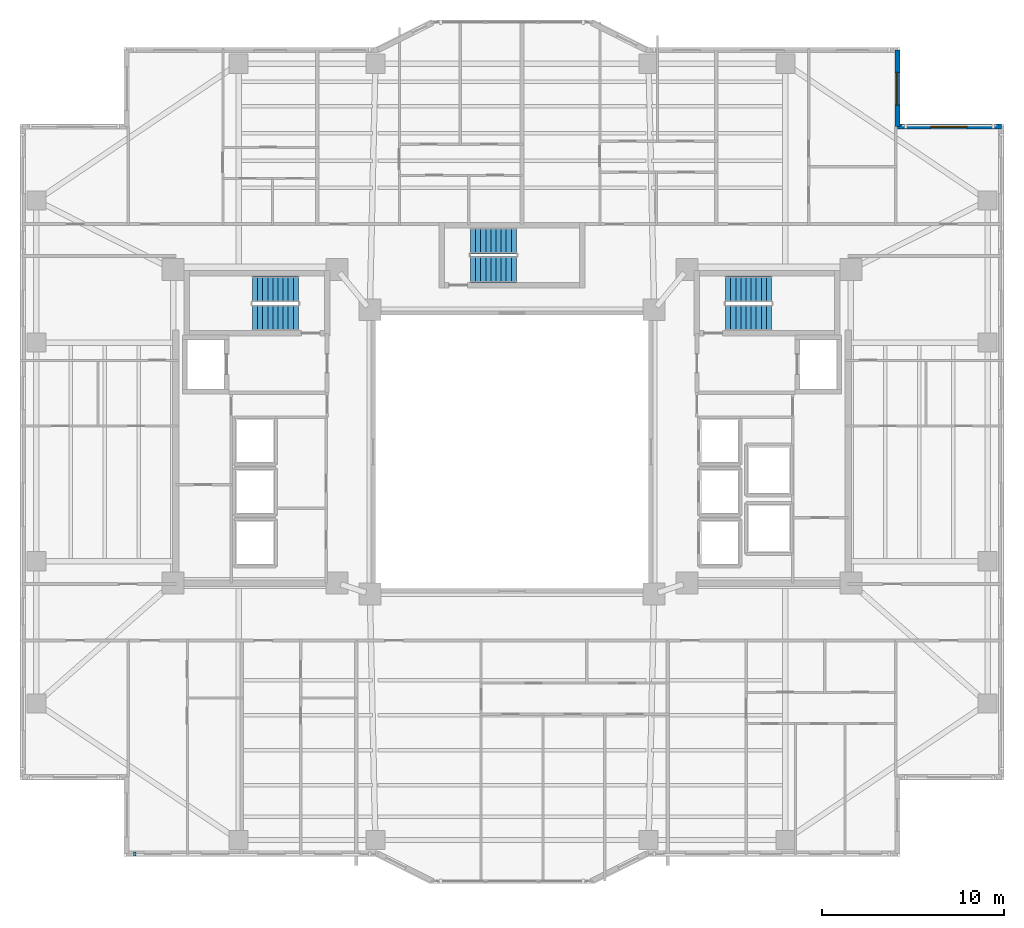
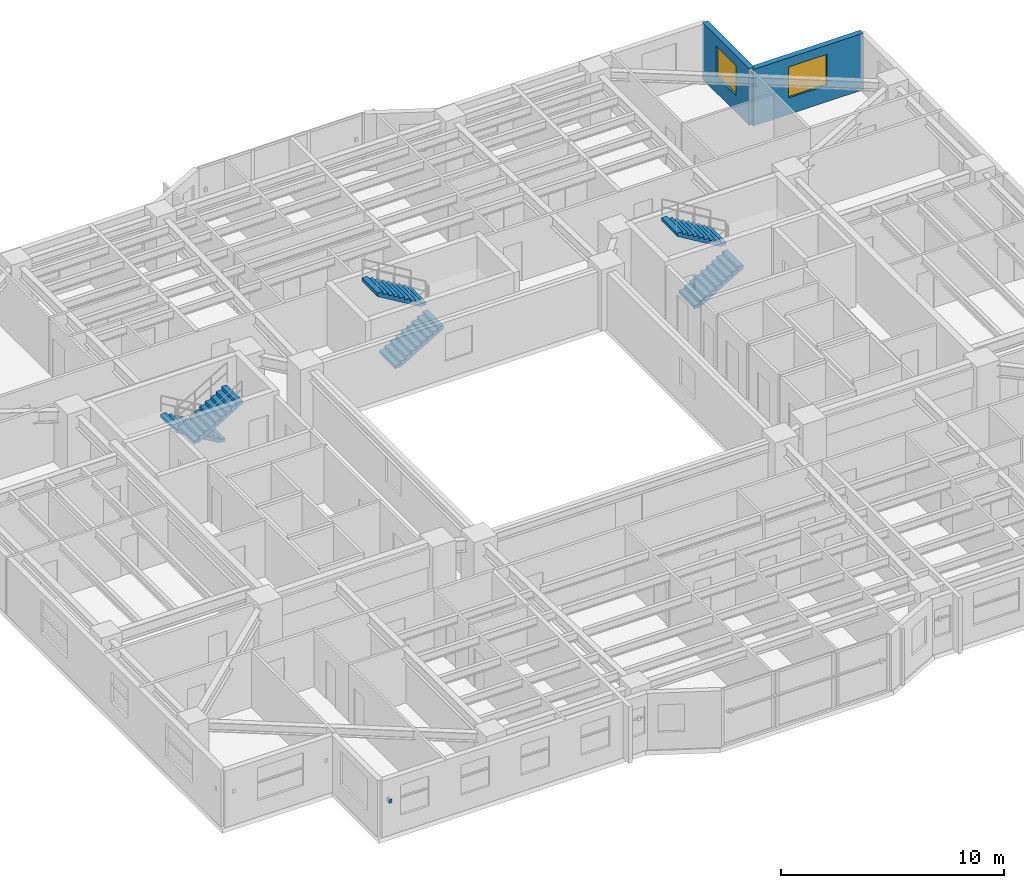
# One storey, part 12 of 19: 6 stair flights, 2 walls, 2 windows, 1 discrete accessory, 2 openings, 3 elements without a shape of their own.
"""IFC4 building model written with IfcOpenShell, lengths in metres."""

from ifc_helpers import new_model, si_unit, direction, frame, frame_2d, origin, origin_2d, place, context, subcontext, project, spatial, polyline, rectangle, outline, extrude, material, layer, layer_set, type_object, element, fill, aggregate, save


model = new_model("IFC4")

# Units and contexts
model_context = context("Model", 3, precision=1e-05, world=origin(), true_north=direction((0.0, 1.0)))
body_context = subcontext(model_context, "Body", "Model", "MODEL_VIEW")
ifc_project = project(units=[si_unit("LENGTHUNIT", "METRE"), si_unit("AREAUNIT", "SQUARE_METRE"), si_unit("VOLUMEUNIT", "CUBIC_METRE"), si_unit("PLANEANGLEUNIT", "RADIAN"), si_unit("MASSUNIT", "GRAM", prefix="KILO")], contexts=[model_context])

# Site, building, storey
site_placement = place(None, origin())
site = spatial("IfcSite", under=ifc_project, at=site_placement, CompositionType="ELEMENT")
building_placement = place(site_placement, origin())
building = spatial("IfcBuilding", under=site, at=building_placement, Name="Tarnavaz Court Tower", CompositionType="ELEMENT")
storey_placement = place(building_placement, frame((0.0, 0.0, 81.64990234375)))
storey = spatial("IfcBuildingStorey", under=building, at=storey_placement, Name="L21", CompositionType="ELEMENT", Elevation=81.64990234375)

# Wall, opening, window
ifc_material_1 = material(Name="Precast Concrete C40/50", Category="concrete")
ifc_layer = layer(ifc_material_1, 0.280029296875)
ifc_layer_set = layer_set([ifc_layer], Name="Precast Concrete C40/50")
wall_type = type_object("IfcWallType", Name="WL-EXT-280", PredefinedType="SOLIDWALL", material=ifc_layer_set)
wall_1_placement = place(storey_placement, frame((21.14990234375, 22.050048828125, 0.0), z_axis=(0.0, 0.0, 1.0), x_axis=(0.0, -1.0, 0.0)))
wall_1 = element("IfcWall", 1, at=wall_1_placement, inside=storey, type_object=wall_type, Name="L21 Exterior Terracotta Facade Wall 10", PredefinedType="SOLIDWALL", context=body_context, shape_type="SweptSolid", body=[
    extrude(rectangle(XDim=4.199951171875, YDim=0.280029296875, at=frame_2d((2.10009765625, 0.0))), origin(), (0.0, 0.0, 1.0), 3.10009765625),
])
opening_1_placement = place(wall_1_placement, frame((1.2177734375, 0.0, 0.89990234375)))
opening_1 = element("IfcOpeningElement", 2, at=opening_1_placement, cuts=wall_1, Name="Opening W01", PredefinedType="OPENING", context=body_context, shape_type="SweptSolid", body=[
    extrude(rectangle(XDim=1.800048828125, YDim=1.64990234375, at=frame_2d((0.89990234375, 0.824951171875))), frame((0.0, 0.14990234375, 0.0), z_axis=(0.0, -1.0, 0.0), x_axis=(1.0, 0.0, 0.0)), (0.0, 0.0, 1.0), 0.300048828125),
])
ifc_material_2 = material(Name="Double-Glazed Solar Low-E Glass", Category="glass")
window_type_1 = type_object("IfcWindowType", Name="WN-APT-1800", PartitioningType="DOUBLE_PANEL_VERTICAL", PredefinedType="WINDOW", material=ifc_material_2)
window_1_placement = place(opening_1_placement, origin())
window_1 = element("IfcWindow", 3, at=window_1_placement, inside=storey, type_object=window_type_1, Name="L21 Flat 04 Kitchen Window", OverallHeight=1.64990234375, OverallWidth=1.800048828125, PartitioningType="SINGLE_PANEL", PredefinedType="WINDOW", context=body_context, shape_type="SweptSolid", body=[
    extrude(rectangle(XDim=1.800048828125, YDim=1.64990234375, at=frame_2d((0.89990234375, 0.824951171875))), frame((0.0, 0.030029296875, 0.0), z_axis=(0.0, -1.0, 0.0), x_axis=(1.0, 0.0, 0.0)), (0.0, 0.0, 1.0), 0.06005859375),
])
fill(opening_1, window_1)

wall_2_placement = place(storey_placement, frame((21.14990234375, 17.85009765625, 0.0), z_axis=(0.0, 0.0, 1.0), x_axis=(1.0, 0.0, 0.0)))
wall_2 = element("IfcWall", 4, at=wall_2_placement, inside=storey, type_object=wall_type, Name="L21 Exterior Terracotta Facade Wall 11", PredefinedType="SOLIDWALL", context=body_context, shape_type="SweptSolid", body=[
    extrude(rectangle(XDim=5.7001953125, YDim=0.280029296875, at=frame_2d((2.85009765625, 0.0))), origin(), (0.0, 0.0, 1.0), 3.10009765625),
])
opening_2_placement = place(wall_2_placement, frame((1.824951171875, 0.0, 0.89990234375)))
opening_2 = element("IfcOpeningElement", 5, at=opening_2_placement, cuts=wall_2, Name="Opening W08", PredefinedType="OPENING", context=body_context, shape_type="SweptSolid", body=[
    extrude(rectangle(XDim=2.0, YDim=1.699951171875, at=frame_2d((1.0, 0.85009765625))), frame((0.0, 0.14990234375, 0.0), z_axis=(0.0, -1.0, 0.0), x_axis=(1.0, 0.0, 0.0)), (0.0, 0.0, 1.0), 0.300048828125),
])
window_type_2 = type_object("IfcWindowType", Name="WN-APT-2000", PartitioningType="DOUBLE_PANEL_VERTICAL", PredefinedType="WINDOW", material=ifc_material_2)
window_2_placement = place(opening_2_placement, origin())
window_2 = element("IfcWindow", 6, at=window_2_placement, inside=storey, type_object=window_type_2, Name="L21 North-East Corner Sunroom Study Window", OverallHeight=1.699951171875, OverallWidth=2.0, PartitioningType="SINGLE_PANEL", PredefinedType="WINDOW", context=body_context, shape_type="SweptSolid", body=[
    extrude(rectangle(XDim=2.0, YDim=1.699951171875, at=frame_2d((1.0, 0.85009765625))), frame((0.0, 0.030029296875, 0.0), z_axis=(0.0, -1.0, 0.0), x_axis=(1.0, 0.0, 0.0)), (0.0, 0.0, 1.0), 0.06005859375),
])
fill(opening_2, window_2)

# Stair, stair flights
ifc_material_3 = material(Name="Concrete C40/50", Category="concrete")
stair_type = type_object("IfcStairType", Name="ST-TWR-20R", PredefinedType="HALF_TURN_STAIR", material=ifc_material_3)
stair_1_placement = place(storey_placement, origin())
stair_1 = element("IfcStair", 7, at=stair_1_placement, inside=storey, type_object=stair_type, Name="L21 West Core Pressurized Exit Stair ST-W1", PredefinedType="HALF_TURN_STAIR")
stair_flight_type = type_object("IfcStairFlightType", Name="SFL-RC-20R", PredefinedType="STRAIGHT", material=ifc_material_3)
stair_flight_1_placement = place(storey_placement, frame((-11.719970703125, 8.929931640625, 0.0), z_axis=(0.0, 0.0, 1.0), x_axis=(-1.0, 0.0, 0.0)))
stair_flight_1 = element("IfcStairFlight", 8, at=stair_flight_1_placement, type_object=stair_flight_type, Name="ST-W1 flight 1", NumberOfRisers=10, NumberOfTreads=9, PredefinedType="STRAIGHT", RiserHeight=0.1675, TreadLength=0.28, context=body_context, shape_type="SweptSolid", body=[
    extrude(outline(polyline([(0.0, 0.0), (0.0, 0.16748046875), (0.280029296875, 0.16748046875), (0.280029296875, 0.3349609375), (0.56005859375, 0.3349609375), (0.56005859375, 0.50244140625), (0.840087890625, 0.50244140625), (0.840087890625, 0.669921875), (1.1201171875, 0.669921875), (1.1201171875, 0.83740234375), (1.39990234375, 0.83740234375), (1.39990234375, 1.0048828125), (1.679931640625, 1.0048828125), (1.679931640625, 1.172607421875), (1.9599609375, 1.172607421875), (1.9599609375, 1.340087890625), (2.239990234375, 1.340087890625), (2.239990234375, 1.507568359375), (2.52001953125, 1.507568359375), (2.52001953125, 1.675048828125), (2.52001953125, 1.332763671875), (0.2919921875, 0.0), (0.0, 0.0)])), frame((0.0, 0.7099609375, 0.0), z_axis=(0.0, -1.0, 0.0), x_axis=(1.0, 0.0, 0.0)), (0.0, 0.0, 1.0), 1.419921875),
])
stair_flight_2_placement = place(storey_placement, frame((-14.239990234375, 7.360107421875, 1.675048828125), z_axis=(0.0, 0.0, 1.0), x_axis=(1.0, 0.0, 0.0)))
stair_flight_2 = element("IfcStairFlight", 9, at=stair_flight_2_placement, type_object=stair_flight_type, Name="ST-W1 flight 2", NumberOfRisers=10, NumberOfTreads=9, PredefinedType="STRAIGHT", RiserHeight=0.1675, TreadLength=0.28, context=body_context, shape_type="SweptSolid", body=[
    extrude(outline(polyline([(0.0, 0.0), (0.0, 0.16748046875), (0.280029296875, 0.16748046875), (0.280029296875, 0.3349609375), (0.56005859375, 0.3349609375), (0.56005859375, 0.50244140625), (0.840087890625, 0.50244140625), (0.840087890625, 0.669921875), (1.1201171875, 0.669921875), (1.1201171875, 0.83740234375), (1.39990234375, 0.83740234375), (1.39990234375, 1.0048828125), (1.679931640625, 1.0048828125), (1.679931640625, 1.172607421875), (1.9599609375, 1.172607421875), (1.9599609375, 1.340087890625), (2.239990234375, 1.340087890625), (2.239990234375, 1.507568359375), (2.52001953125, 1.507568359375), (2.52001953125, 1.675048828125), (2.52001953125, 1.332763671875), (0.2919921875, 0.0), (0.0, 0.0)])), frame((0.0, 0.7099609375, 0.0), z_axis=(0.0, -1.0, 0.0), x_axis=(1.0, 0.0, 0.0)), (0.0, 0.0, 1.0), 1.419921875),
])
aggregate(stair_1, [stair_flight_1, stair_flight_2])

stair_2_placement = place(storey_placement, origin())
stair_2 = element("IfcStair", 10, at=stair_2_placement, inside=storey, type_object=stair_type, Name="L21 East Core Pressurized Exit Stair ST-E1", PredefinedType="HALF_TURN_STAIR")
stair_flight_3_placement = place(storey_placement, frame((11.719970703125, 7.360107421875, 0.0), z_axis=(0.0, 0.0, 1.0), x_axis=(1.0, 0.0, 0.0)))
stair_flight_3 = element("IfcStairFlight", 11, at=stair_flight_3_placement, type_object=stair_flight_type, Name="ST-E1 flight 1", NumberOfRisers=10, NumberOfTreads=9, PredefinedType="STRAIGHT", RiserHeight=0.1675, TreadLength=0.28, context=body_context, shape_type="SweptSolid", body=[
    extrude(outline(polyline([(0.0, 0.0), (0.0, 0.16748046875), (0.280029296875, 0.16748046875), (0.280029296875, 0.3349609375), (0.56005859375, 0.3349609375), (0.56005859375, 0.50244140625), (0.840087890625, 0.50244140625), (0.840087890625, 0.669921875), (1.1201171875, 0.669921875), (1.1201171875, 0.83740234375), (1.39990234375, 0.83740234375), (1.39990234375, 1.0048828125), (1.679931640625, 1.0048828125), (1.679931640625, 1.172607421875), (1.9599609375, 1.172607421875), (1.9599609375, 1.340087890625), (2.239990234375, 1.340087890625), (2.239990234375, 1.507568359375), (2.52001953125, 1.507568359375), (2.52001953125, 1.675048828125), (2.52001953125, 1.332763671875), (0.2919921875, 0.0), (0.0, 0.0)])), frame((0.0, 0.7099609375, 0.0), z_axis=(0.0, -1.0, 0.0), x_axis=(1.0, 0.0, 0.0)), (0.0, 0.0, 1.0), 1.419921875),
])
stair_flight_4_placement = place(storey_placement, frame((14.239990234375, 8.929931640625, 1.675048828125), z_axis=(0.0, 0.0, 1.0), x_axis=(-1.0, 0.0, 0.0)))
stair_flight_4 = element("IfcStairFlight", 12, at=stair_flight_4_placement, type_object=stair_flight_type, Name="ST-E1 flight 2", NumberOfRisers=10, NumberOfTreads=9, PredefinedType="STRAIGHT", RiserHeight=0.1675, TreadLength=0.28, context=body_context, shape_type="SweptSolid", body=[
    extrude(outline(polyline([(0.0, 0.0), (0.0, 0.16748046875), (0.280029296875, 0.16748046875), (0.280029296875, 0.3349609375), (0.56005859375, 0.3349609375), (0.56005859375, 0.50244140625), (0.840087890625, 0.50244140625), (0.840087890625, 0.669921875), (1.1201171875, 0.669921875), (1.1201171875, 0.83740234375), (1.39990234375, 0.83740234375), (1.39990234375, 1.0048828125), (1.679931640625, 1.0048828125), (1.679931640625, 1.172607421875), (1.9599609375, 1.172607421875), (1.9599609375, 1.340087890625), (2.239990234375, 1.340087890625), (2.239990234375, 1.507568359375), (2.52001953125, 1.507568359375), (2.52001953125, 1.675048828125), (2.52001953125, 1.332763671875), (0.2919921875, 0.0), (0.0, 0.0)])), frame((0.0, 0.7099609375, 0.0), z_axis=(0.0, -1.0, 0.0), x_axis=(1.0, 0.0, 0.0)), (0.0, 0.0, 1.0), 1.419921875),
])
aggregate(stair_2, [stair_flight_3, stair_flight_4])

stair_3_placement = place(storey_placement, origin())
stair_3 = element("IfcStair", 13, at=stair_3_placement, inside=storey, type_object=stair_type, Name="L21 North Ring Pressurized Exit Stair ST-N1", PredefinedType="HALF_TURN_STAIR")
stair_flight_5_placement = place(storey_placement, frame((-2.280029296875, 10.010009765625, 0.0), z_axis=(0.0, 0.0, 1.0), x_axis=(1.0, 0.0, 0.0)))
stair_flight_5 = element("IfcStairFlight", 14, at=stair_flight_5_placement, type_object=stair_flight_type, Name="ST-N1 flight 1", NumberOfRisers=10, NumberOfTreads=9, PredefinedType="STRAIGHT", RiserHeight=0.1675, TreadLength=0.28, context=body_context, shape_type="SweptSolid", body=[
    extrude(outline(polyline([(0.0, 0.0), (0.0, 0.16748046875), (0.280029296875, 0.16748046875), (0.280029296875, 0.3349609375), (0.56005859375, 0.3349609375), (0.56005859375, 0.50244140625), (0.840087890625, 0.50244140625), (0.840087890625, 0.669921875), (1.1201171875, 0.669921875), (1.1201171875, 0.83740234375), (1.39990234375, 0.83740234375), (1.39990234375, 1.0048828125), (1.679931640625, 1.0048828125), (1.679931640625, 1.172607421875), (1.9599609375, 1.172607421875), (1.9599609375, 1.340087890625), (2.239990234375, 1.340087890625), (2.239990234375, 1.507568359375), (2.52001953125, 1.507568359375), (2.52001953125, 1.675048828125), (2.52001953125, 1.332763671875), (0.2919921875, 0.0), (0.0, 0.0)])), frame((0.0, 0.7099609375, 0.0), z_axis=(0.0, -1.0, 0.0), x_axis=(1.0, 0.0, 0.0)), (0.0, 0.0, 1.0), 1.419921875),
])
stair_flight_6_placement = place(storey_placement, frame((0.239990234375, 11.580078125, 1.675048828125), z_axis=(0.0, 0.0, 1.0), x_axis=(-1.0, 0.0, 0.0)))
stair_flight_6 = element("IfcStairFlight", 15, at=stair_flight_6_placement, type_object=stair_flight_type, Name="ST-N1 flight 2", NumberOfRisers=10, NumberOfTreads=9, PredefinedType="STRAIGHT", RiserHeight=0.1675, TreadLength=0.28, context=body_context, shape_type="SweptSolid", body=[
    extrude(outline(polyline([(0.0, 0.0), (0.0, 0.16748046875), (0.280029296875, 0.16748046875), (0.280029296875, 0.3349609375), (0.56005859375, 0.3349609375), (0.56005859375, 0.50244140625), (0.840087890625, 0.50244140625), (0.840087890625, 0.669921875), (1.1201171875, 0.669921875), (1.1201171875, 0.83740234375), (1.39990234375, 0.83740234375), (1.39990234375, 1.0048828125), (1.679931640625, 1.0048828125), (1.679931640625, 1.172607421875), (1.9599609375, 1.172607421875), (1.9599609375, 1.340087890625), (2.239990234375, 1.340087890625), (2.239990234375, 1.507568359375), (2.52001953125, 1.507568359375), (2.52001953125, 1.675048828125), (2.52001953125, 1.332763671875), (0.2919921875, 0.0), (0.0, 0.0)])), frame((0.0, 0.7099609375, 0.0), z_axis=(0.0, -1.0, 0.0), x_axis=(1.0, 0.0, 0.0)), (0.0, 0.0, 1.0), 1.419921875),
])
aggregate(stair_3, [stair_flight_5, stair_flight_6])

# Discrete accessory
ifc_material_4 = material(Name="Anodised Aluminium 6063-T6", Category="aluminium")
discrete_accessory_type = type_object("IfcDiscreteAccessoryType", Name="DA-BRKT-ALU", PredefinedType="BRACKET", material=ifc_material_4)
discrete_accessory_placement = place(storey_placement, frame((-20.699951171875, -22.070068359375, 1.75), z_axis=(0.0, 0.0, 1.0), x_axis=(-1.0, 0.0, 0.0)))
element("IfcDiscreteAccessory", 16, at=discrete_accessory_placement, inside=storey, type_object=discrete_accessory_type, Name="L21 Baguette Outrigger Bracket FBG19-2", PredefinedType="BRACKET", context=body_context, shape_type="SweptSolid", body=[
    extrude(rectangle(XDim=0.139892578125, YDim=0.239990234375, at=origin_2d()), origin(), (0.0, 0.0, 1.0), 0.199951171875),
])

save(model, "model.ifc")
